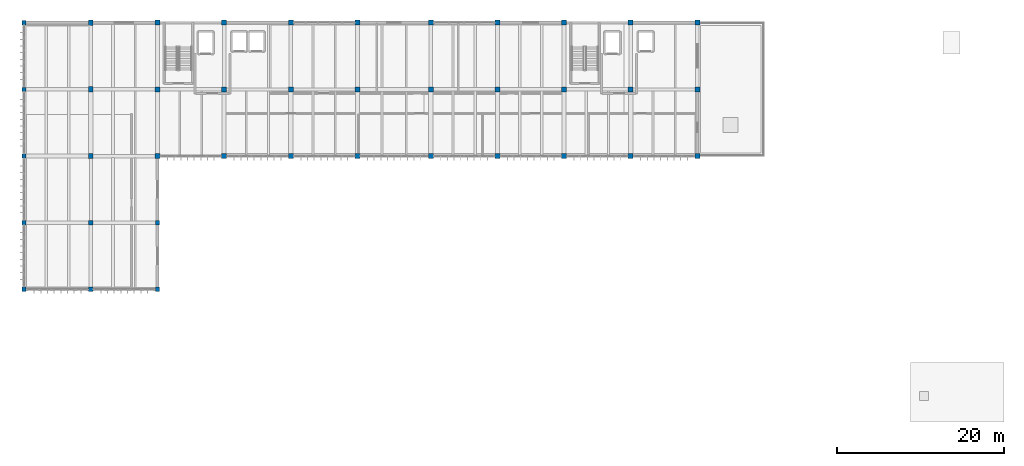
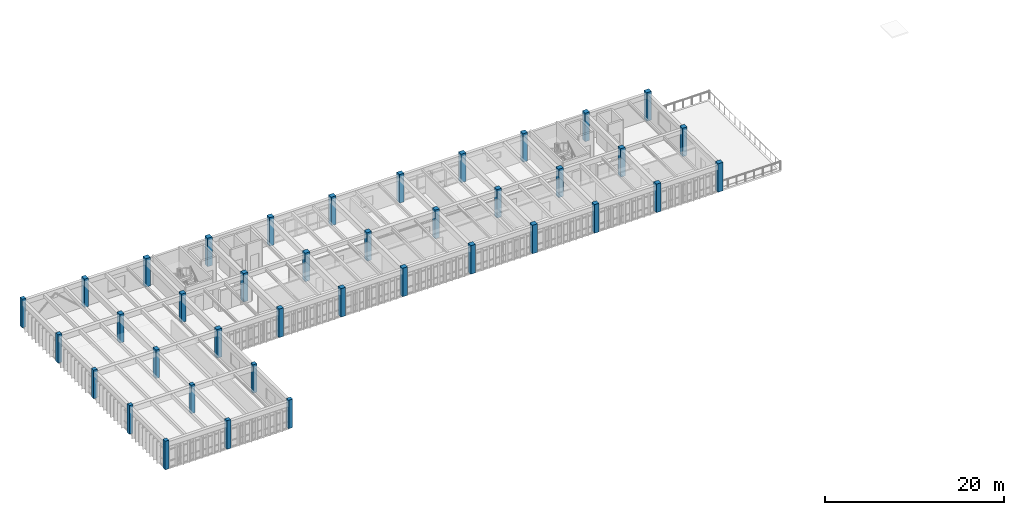
# One storey, part 1 of 22: 39 columns.
"""IFC4 building model written with IfcOpenShell, lengths in metres."""

from ifc_helpers import new_model, si_unit, direction, frame, origin, origin_2d, place, context, subcontext, project, spatial, rectangle, extrude, material, material_profile, profile_set, type_object, element, save


model = new_model("IFC4")

# Units and contexts
model_context = context("Model", 3, precision=1e-05, world=origin(), true_north=direction((0.0, 1.0)))
body_context = subcontext(model_context, "Body", "Model", "MODEL_VIEW")
ifc_project = project(units=[si_unit("LENGTHUNIT", "METRE"), si_unit("AREAUNIT", "SQUARE_METRE"), si_unit("VOLUMEUNIT", "CUBIC_METRE"), si_unit("PLANEANGLEUNIT", "RADIAN"), si_unit("MASSUNIT", "GRAM", prefix="KILO")], contexts=[model_context])

# Site, building, storey
site_placement = place(None, origin())
site = spatial("IfcSite", under=ifc_project, at=site_placement, CompositionType="ELEMENT")
building_placement = place(site_placement, origin())
building = spatial("IfcBuilding", under=site, at=building_placement, Name="Tlaxcora Railside Police Headquarters", CompositionType="ELEMENT")
storey_placement = place(building_placement, frame((0.0, 0.0, 21.89990234375)))
storey = spatial("IfcBuildingStorey", under=building, at=storey_placement, Name="L05", CompositionType="ELEMENT", Elevation=21.89990234375)

# Columns
ifc_material = material(Name="Concrete C40/50", Category="concrete")
ifc_material_profile_1 = material_profile(ifc_material, rectangle(XDim=0.5, YDim=0.64990234375, at=origin_2d()), Name="RC500X650")
ifc_profile_set_1 = profile_set([ifc_material_profile_1], Name="Concrete C40/50")
column_type_1 = type_object("IfcColumnType", Name="Structural Column CL-28", PredefinedType="COLUMN", material=ifc_profile_set_1)
for number, where, z_axis, x_axis, name in (
    (1, (13.199951171875, 76.800048828125, 0.0), (0.0, 0.0, 1.0), (1.0, 0.0, 0.0), "L05 column (13.2, 76.8)"),
    (2, (13.199951171875, 84.800048828125, 0.0), (0.0, 0.0, 1.0), (1.0, 0.0, 0.0), "L05 column (13.2, 84.8)"),
    (3, (13.199951171875, 92.800048828125, 0.0), (0.0, 0.0, 1.0), (1.0, 0.0, 0.0), "L05 column (13.2, 92.8)"),
):
    element("IfcColumn", number, at=place(storey_placement, frame(where, z_axis=z_axis, x_axis=x_axis)), inside=storey, type_object=column_type_1, Name=name, PredefinedType="COLUMN", context=body_context, shape_type="SweptSolid", body=[
        extrude(rectangle(XDim=0.5, YDim=0.64990234375, at=origin_2d()), origin(), (0.0, 0.0, 1.0), 3.900146484375),
    ])
ifc_material_profile_2 = material_profile(ifc_material, rectangle(XDim=0.60009765625, YDim=0.60009765625, at=origin_2d()), Name="RC600X600")
ifc_profile_set_2 = profile_set([ifc_material_profile_2], Name="Concrete C40/50")
column_type_2 = type_object("IfcColumnType", Name="Structural Column CL-53", PredefinedType="COLUMN", material=ifc_profile_set_2)
for number, where, z_axis, x_axis, name in (
    (4, (21.199951171875, 76.800048828125, 0.0), (0.0, 0.0, 1.0), (1.0, 0.0, 0.0), "L05 column (21.2, 76.8)"),
    (5, (21.199951171875, 84.800048828125, 0.0), (0.0, 0.0, 1.0), (1.0, 0.0, 0.0), "L05 column (21.2, 84.8)"),
    (6, (21.199951171875, 92.800048828125, 0.0), (0.0, 0.0, 1.0), (1.0, 0.0, 0.0), "L05 column (21.2, 92.8)"),
    (7, (29.199951171875, 76.800048828125, 0.0), (0.0, 0.0, 1.0), (1.0, 0.0, 0.0), "L05 column (29.2, 76.8)"),
    (8, (29.199951171875, 84.800048828125, 0.0), (0.0, 0.0, 1.0), (1.0, 0.0, 0.0), "L05 column (29.2, 84.8)"),
    (9, (29.199951171875, 92.800048828125, 0.0), (0.0, 0.0, 1.0), (1.0, 0.0, 0.0), "L05 column (29.2, 92.8)"),
    (10, (37.199951171875, 76.800048828125, 0.0), (0.0, 0.0, 1.0), (1.0, 0.0, 0.0), "L05 column (37.2, 76.8)"),
    (11, (37.199951171875, 84.800048828125, 0.0), (0.0, 0.0, 1.0), (1.0, 0.0, 0.0), "L05 column (37.2, 84.8)"),
    (12, (37.199951171875, 92.800048828125, 0.0), (0.0, 0.0, 1.0), (1.0, 0.0, 0.0), "L05 column (37.2, 92.8)"),
    (13, (45.199951171875, 76.800048828125, 0.0), (0.0, 0.0, 1.0), (1.0, 0.0, 0.0), "L05 column (45.2, 76.8)"),
    (14, (45.199951171875, 84.800048828125, 0.0), (0.0, 0.0, 1.0), (1.0, 0.0, 0.0), "L05 column (45.2, 84.8)"),
    (15, (45.199951171875, 92.800048828125, 0.0), (0.0, 0.0, 1.0), (1.0, 0.0, 0.0), "L05 column (45.2, 92.8)"),
    (16, (54.0, 76.800048828125, 0.0), (0.0, 0.0, 1.0), (1.0, 0.0, 0.0), "L05 column (54.0, 76.8)"),
    (17, (54.0, 84.800048828125, 0.0), (0.0, 0.0, 1.0), (1.0, 0.0, 0.0), "L05 column (54.0, 84.8)"),
    (18, (54.0, 92.800048828125, 0.0), (0.0, 0.0, 1.0), (1.0, 0.0, 0.0), "L05 column (54.0, 92.8)"),
    (19, (62.0, 76.800048828125, 0.0), (0.0, 0.0, 1.0), (1.0, 0.0, 0.0), "L05 column (62.0, 76.8)"),
    (20, (62.0, 84.800048828125, 0.0), (0.0, 0.0, 1.0), (1.0, 0.0, 0.0), "L05 column (62.0, 84.8)"),
    (21, (62.0, 92.800048828125, 0.0), (0.0, 0.0, 1.0), (1.0, 0.0, 0.0), "L05 column (62.0, 92.8)"),
    (22, (70.0, 76.800048828125, 0.0), (0.0, 0.0, 1.0), (1.0, 0.0, 0.0), "L05 column (70.0, 76.8)"),
    (23, (70.0, 84.800048828125, 0.0), (0.0, 0.0, 1.0), (1.0, 0.0, 0.0), "L05 column (70.0, 84.8)"),
    (24, (70.0, 92.800048828125, 0.0), (0.0, 0.0, 1.0), (1.0, 0.0, 0.0), "L05 column (70.0, 92.8)"),
    (25, (78.0, 76.800048828125, 0.0), (0.0, 0.0, 1.0), (1.0, 0.0, 0.0), "L05 column (78.0, 76.8)"),
    (26, (78.0, 84.800048828125, 0.0), (0.0, 0.0, 1.0), (1.0, 0.0, 0.0), "L05 column (78.0, 84.8)"),
    (27, (78.0, 92.800048828125, 0.0), (0.0, 0.0, 1.0), (1.0, 0.0, 0.0), "L05 column (78.0, 92.8)"),
    (28, (86.0, 76.800048828125, 0.0), (0.0, 0.0, 1.0), (1.0, 0.0, 0.0), "L05 column (86.0, 76.8)"),
    (29, (86.0, 84.800048828125, 0.0), (0.0, 0.0, 1.0), (1.0, 0.0, 0.0), "L05 column (86.0, 84.8)"),
    (30, (86.0, 92.800048828125, 0.0), (0.0, 0.0, 1.0), (1.0, 0.0, 0.0), "L05 column (86.0, 92.8)"),
):
    element("IfcColumn", number, at=place(storey_placement, frame(where, z_axis=z_axis, x_axis=x_axis)), inside=storey, type_object=column_type_2, Name=name, PredefinedType="COLUMN", context=body_context, shape_type="SweptSolid", body=[
        extrude(rectangle(XDim=0.60009765625, YDim=0.60009765625, at=origin_2d()), origin(), (0.0, 0.0, 1.0), 3.900146484375),
    ])
ifc_material_profile_3 = material_profile(ifc_material, rectangle(XDim=0.5, YDim=0.5, at=origin_2d()), Name="RC500X500")
ifc_profile_set_3 = profile_set([ifc_material_profile_3], Name="Concrete C40/50")
column_type_3 = type_object("IfcColumnType", Name="Structural Column CL-55", PredefinedType="COLUMN", material=ifc_profile_set_3)
for number, where, z_axis, x_axis, name in (
    (31, (5.199951171875, 60.800048828125, 0.0), (0.0, 0.0, 1.0), (1.0, 0.0, 0.0), "L05 column (5.2, 60.8)"),
    (32, (5.199951171875, 68.800048828125, 0.0), (0.0, 0.0, 1.0), (1.0, 0.0, 0.0), "L05 column (5.2, 68.8)"),
    (33, (5.199951171875, 76.800048828125, 0.0), (0.0, 0.0, 1.0), (1.0, 0.0, 0.0), "L05 column (5.2, 76.8)"),
    (34, (5.199951171875, 84.800048828125, 0.0), (0.0, 0.0, 1.0), (1.0, 0.0, 0.0), "L05 column (5.2, 84.8)"),
    (35, (5.199951171875, 92.800048828125, 0.0), (0.0, 0.0, 1.0), (1.0, 0.0, 0.0), "L05 column (5.2, 92.8)"),
    (36, (13.199951171875, 60.800048828125, 0.0), (0.0, 0.0, 1.0), (1.0, 0.0, 0.0), "L05 column (13.2, 60.8)"),
    (37, (13.199951171875, 68.800048828125, 0.0), (0.0, 0.0, 1.0), (1.0, 0.0, 0.0), "L05 column (13.2, 68.8)"),
    (38, (21.199951171875, 60.800048828125, 0.0), (0.0, 0.0, 1.0), (1.0, 0.0, 0.0), "L05 column (21.2, 60.8)"),
    (39, (21.199951171875, 68.800048828125, 0.0), (0.0, 0.0, 1.0), (1.0, 0.0, 0.0), "L05 column (21.2, 68.8)"),
):
    element("IfcColumn", number, at=place(storey_placement, frame(where, z_axis=z_axis, x_axis=x_axis)), inside=storey, type_object=column_type_3, Name=name, PredefinedType="COLUMN", context=body_context, shape_type="SweptSolid", body=[
        extrude(rectangle(XDim=0.5, YDim=0.5, at=origin_2d()), origin(), (0.0, 0.0, 1.0), 3.900146484375),
    ])

save(model, "model.ifc")
